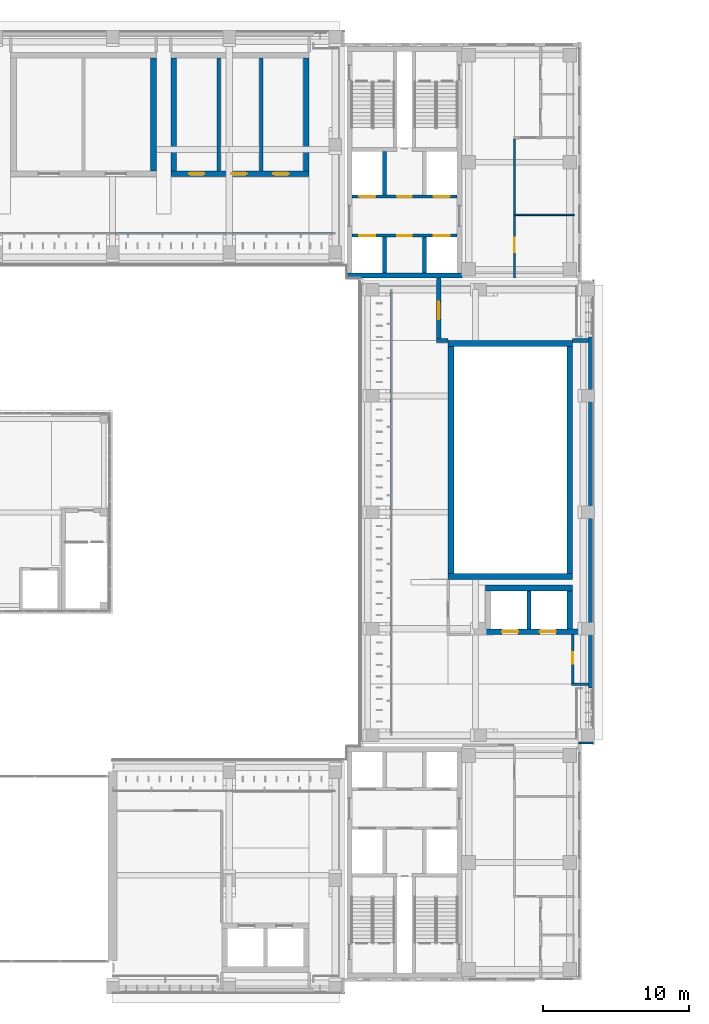
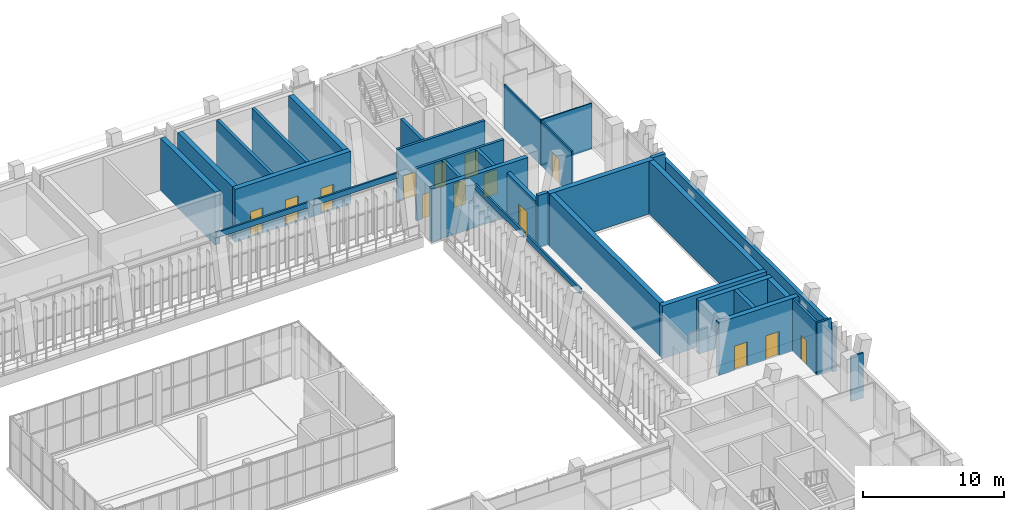
# One storey, part 68 of 92: 33 walls, 14 doors, 14 openings.
"""IFC4 building model written with IfcOpenShell, lengths in metres."""

from ifc_helpers import new_model, si_unit, direction, frame, frame_2d, origin, place, context, subcontext, project, spatial, rectangle, extrude, material, layer, layer_set, type_object, element, fill, save


model = new_model("IFC4")

# Units and contexts
model_context = context("Model", 3, precision=1e-05, world=origin(), true_north=direction((0.0, 1.0)))
body_context = subcontext(model_context, "Body", "Model", "MODEL_VIEW")
ifc_project = project(units=[si_unit("LENGTHUNIT", "METRE"), si_unit("AREAUNIT", "SQUARE_METRE"), si_unit("VOLUMEUNIT", "CUBIC_METRE"), si_unit("PLANEANGLEUNIT", "RADIAN"), si_unit("MASSUNIT", "GRAM", prefix="KILO")], contexts=[model_context])

# Site, building, storey
site_placement = place(None, origin())
site = spatial("IfcSite", under=ifc_project, at=site_placement, CompositionType="ELEMENT")
building_placement = place(site_placement, origin())
building = spatial("IfcBuilding", under=site, at=building_placement, Name="Lantern Court Media Centre", CompositionType="ELEMENT")
storey_placement = place(building_placement, frame((0.0, 0.0, 4.800048828125)))
storey = spatial("IfcBuildingStorey", under=building, at=storey_placement, Name="L01", CompositionType="ELEMENT", Elevation=4.800048828125)

# Walls
ifc_material_1 = material(Name="Acoustic gypsum board")
ifc_layer_1 = layer(ifc_material_1, 0.25)
ifc_layer_set_1 = layer_set([ifc_layer_1], Name="Acoustic gypsum board")
wall_type_1 = type_object("IfcWallType", Name="Acoustic partition 250", PredefinedType="PARTITIONING", material=ifc_layer_set_1)
for number, where, z_axis, x_axis, name in (
    (1, (71.300048828125, 103.455078125, 0.0), (0.0, 0.0, 1.0), (0.0, 1.0, 0.0), "L01 partition 020"),
    (2, (74.199951171875, 103.455078125, 0.0), (0.0, 0.0, 1.0), (0.0, 1.0, 0.0), "L01 partition 021"),
):
    element("IfcWall", number, at=place(storey_placement, frame(where, z_axis=z_axis, x_axis=x_axis)), inside=storey, type_object=wall_type_1, Name=name, PredefinedType="PARTITIONING", context=body_context, shape_type="SweptSolid", body=[
        extrude(rectangle(XDim=7.739990234375, YDim=0.25, at=frame_2d((3.8701171875, 0.0))), origin(), (0.0, 0.0, 1.0), 4.56005859375),
    ])

# Wall, opening, door
ifc_material_2 = material(Name="Gypsum board partition")
ifc_layer_2 = layer(ifc_material_2, 0.125)
ifc_layer_set_2 = layer_set([ifc_layer_2], Name="Gypsum board partition")
wall_type_2 = type_object("IfcWallType", Name="Corridor partition 125", PredefinedType="PARTITIONING", material=ifc_layer_set_2)
wall_1_placement = place(storey_placement, frame((91.60009765625, 96.10009765625, 0.0), z_axis=(0.0, 0.0, 1.0), x_axis=(0.0, 1.0, 0.0)))
wall_1 = element("IfcWall", 3, at=wall_1_placement, inside=storey, type_object=wall_type_2, Name="L01 partition 047", PredefinedType="PARTITIONING", context=body_context, shape_type="SweptSolid", body=[
    extrude(rectangle(XDim=9.56689453125, YDim=0.125, at=frame_2d((4.783447265625, 0.0))), origin(), (0.0, 0.0, 1.0), 3.8798828125),
])
opening_1_placement = place(wall_1_placement, frame((1.76513671875, 0.0, 0.0)))
opening_1 = element("IfcOpeningElement", 4, at=opening_1_placement, cuts=wall_1, Name="Opening L01-034", PredefinedType="OPENING", context=body_context, shape_type="SweptSolid", body=[
    extrude(rectangle(XDim=1.0, YDim=2.10009765625, at=frame_2d((0.5, 1.050048828125))), frame((0.0, 0.072509765625, 0.0), z_axis=(0.0, -1.0, 0.0), x_axis=(1.0, 0.0, 0.0)), (0.0, 0.0, 1.0), 0.14501953125),
])
ifc_material_3 = material(Name="Solid-core timber door leaf", Category="wood")
door_type_1 = type_object("IfcDoorType", Name="Single door 1000x2100", OperationType="NOTDEFINED", PredefinedType="DOOR", material=ifc_material_3)
door_1_placement = place(opening_1_placement, frame((1.0, 0.0, 0.0), z_axis=(0.0, 0.0, 1.0), x_axis=(-1.0, 0.0, 0.0)))
door_1 = element("IfcDoor", 5, at=door_1_placement, inside=storey, type_object=door_type_1, Name="L01 Sound Library door", OperationType="SINGLE_SWING_LEFT", OverallHeight=2.10009765625, OverallWidth=1.0, PredefinedType="DOOR", context=body_context, shape_type="SweptSolid", body=[
    extrude(rectangle(XDim=1.0, YDim=2.10009765625, at=frame_2d((0.5, 1.050048828125))), frame((0.0, 0.02490234375, 0.0), z_axis=(0.0, -1.0, 0.0), x_axis=(1.0, 0.0, 0.0)), (0.0, 0.0, 1.0), 0.050048828125),
])
fill(opening_1, door_1)

# Wall, openings, doors
ifc_material_4 = material(Name="Concrete C40", Category="concrete")
ifc_layer_3 = layer(ifc_material_4, 0.199951171875)
ifc_layer_set_3 = layer_set([ifc_layer_3], Name="Concrete C40")
wall_type_3 = type_object("IfcWallType", Name="Fire lobby wall 200", PredefinedType="SOLIDWALL", material=ifc_layer_set_3)
wall_2_placement = place(storey_placement, frame((87.64990234375, 101.699951171875, 0.0), z_axis=(0.0, 0.0, 1.0), x_axis=(-1.0, 0.0, 0.0)))
wall_2 = element("IfcWall", 6, at=wall_2_placement, inside=storey, type_object=wall_type_3, Name="L01 NE FW1", PredefinedType="SOLIDWALL", context=body_context, shape_type="SweptSolid", body=[
    extrude(rectangle(XDim=7.199951171875, YDim=0.199951171875, at=frame_2d((3.60009765625, 0.0))), origin(), (0.0, 0.0, 1.0), 4.550048828125),
])
opening_2_placement = place(wall_2_placement, frame((0.5, 0.0, 0.0)))
opening_2 = element("IfcOpeningElement", 7, at=opening_2_placement, cuts=wall_2, Name="Opening LD-NEFF-L01", PredefinedType="OPENING", context=body_context, shape_type="SweptSolid", body=[
    extrude(rectangle(XDim=1.10009765625, YDim=2.10009765625, at=frame_2d((0.550048828125, 1.050048828125))), frame((0.0, 0.10986328125, 0.0), z_axis=(0.0, -1.0, 0.0), x_axis=(1.0, 0.0, 0.0)), (0.0, 0.0, 1.0), 0.219970703125),
])
opening_3_placement = place(wall_2_placement, frame((5.60009765625, 0.0, 0.0)))
opening_3 = element("IfcOpeningElement", 8, at=opening_3_placement, cuts=wall_2, Name="Opening LD-NEP1-L01", PredefinedType="OPENING", context=body_context, shape_type="SweptSolid", body=[
    extrude(rectangle(XDim=1.10009765625, YDim=2.10009765625, at=frame_2d((0.550048828125, 1.050048828125))), frame((0.0, 0.10986328125, 0.0), z_axis=(0.0, -1.0, 0.0), x_axis=(1.0, 0.0, 0.0)), (0.0, 0.0, 1.0), 0.219970703125),
])
opening_4_placement = place(wall_2_placement, frame((3.10009765625, 0.0, 0.0)))
opening_4 = element("IfcOpeningElement", 9, at=opening_4_placement, cuts=wall_2, Name="Opening NE-L01-03", PredefinedType="OPENING", context=body_context, shape_type="SweptSolid", body=[
    extrude(rectangle(XDim=1.0, YDim=2.10009765625, at=frame_2d((0.5, 1.050048828125))), frame((0.0, 0.10986328125, 0.0), z_axis=(0.0, -1.0, 0.0), x_axis=(1.0, 0.0, 0.0)), (0.0, 0.0, 1.0), 0.219970703125),
])
ifc_material_5 = material(Name="Steel door leaf", Category="steel")
door_type_2 = type_object("IfcDoorType", Name="Lift landing door 1100x2100", OperationType="DOUBLE_DOOR_SLIDING", PredefinedType="DOOR", material=ifc_material_5)
door_2_placement = place(opening_2_placement, origin())
door_2 = element("IfcDoor", 10, at=door_2_placement, inside=storey, type_object=door_type_2, Name="L01 NE lift FF landing door", OperationType="DOUBLE_DOOR_SLIDING", OverallHeight=2.10009765625, OverallWidth=1.10009765625, PredefinedType="DOOR", context=body_context, shape_type="SweptSolid", body=[
    extrude(rectangle(XDim=1.10009765625, YDim=2.10009765625, at=frame_2d((0.550048828125, 1.050048828125))), frame((0.0, 0.02490234375, 0.0), z_axis=(0.0, -1.0, 0.0), x_axis=(1.0, 0.0, 0.0)), (0.0, 0.0, 1.0), 0.050048828125),
])
fill(opening_2, door_2)
door_3_placement = place(opening_3_placement, origin())
door_3 = element("IfcDoor", 11, at=door_3_placement, inside=storey, type_object=door_type_2, Name="L01 NE lift P1 landing door", OperationType="DOUBLE_DOOR_SLIDING", OverallHeight=2.10009765625, OverallWidth=1.10009765625, PredefinedType="DOOR", context=body_context, shape_type="SweptSolid", body=[
    extrude(rectangle(XDim=1.10009765625, YDim=2.10009765625, at=frame_2d((0.550048828125, 1.050048828125))), frame((0.0, 0.02490234375, 0.0), z_axis=(0.0, -1.0, 0.0), x_axis=(1.0, 0.0, 0.0)), (0.0, 0.0, 1.0), 0.050048828125),
])
fill(opening_3, door_3)
door_type_3 = type_object("IfcDoorType", Name="Service door 1000x2100", OperationType="NOTDEFINED", PredefinedType="DOOR", material=ifc_material_5)
door_4_placement = place(opening_4_placement, origin())
door_4 = element("IfcDoor", 12, at=door_4_placement, inside=storey, type_object=door_type_3, Name="L01 NE services riser door", OperationType="SINGLE_SWING_LEFT", OverallHeight=2.10009765625, OverallWidth=1.0, PredefinedType="DOOR", context=body_context, shape_type="SweptSolid", body=[
    extrude(rectangle(XDim=1.0, YDim=2.10009765625, at=frame_2d((0.5, 1.050048828125))), frame((0.0, 0.02490234375, 0.0), z_axis=(0.0, -1.0, 0.0), x_axis=(1.0, 0.0, 0.0)), (0.0, 0.0, 1.0), 0.050048828125),
])
fill(opening_4, door_4)

wall_3_placement = place(storey_placement, frame((87.64990234375, 99.0, 0.0), z_axis=(0.0, 0.0, 1.0), x_axis=(-1.0, 0.0, 0.0)))
wall_3 = element("IfcWall", 13, at=wall_3_placement, inside=storey, type_object=wall_type_3, Name="L01 NE FW2", PredefinedType="SOLIDWALL", context=body_context, shape_type="SweptSolid", body=[
    extrude(rectangle(XDim=7.199951171875, YDim=0.199951171875, at=frame_2d((3.60009765625, 0.0))), origin(), (0.0, 0.0, 1.0), 4.550048828125),
])
opening_5_placement = place(wall_3_placement, frame((0.5, 0.0, 0.0)))
opening_5 = element("IfcOpeningElement", 14, at=opening_5_placement, cuts=wall_3, Name="Opening LD-NEP2-L01", PredefinedType="OPENING", context=body_context, shape_type="SweptSolid", body=[
    extrude(rectangle(XDim=1.10009765625, YDim=2.10009765625, at=frame_2d((0.550048828125, 1.050048828125))), frame((0.0, 0.10986328125, 0.0), z_axis=(0.0, -1.0, 0.0), x_axis=(1.0, 0.0, 0.0)), (0.0, 0.0, 1.0), 0.219970703125),
])
opening_6_placement = place(wall_3_placement, frame((5.60009765625, 0.0, 0.0)))
opening_6 = element("IfcOpeningElement", 15, at=opening_6_placement, cuts=wall_3, Name="Opening LD-NEP3-L01", PredefinedType="OPENING", context=body_context, shape_type="SweptSolid", body=[
    extrude(rectangle(XDim=1.10009765625, YDim=2.10009765625, at=frame_2d((0.550048828125, 1.050048828125))), frame((0.0, 0.10986328125, 0.0), z_axis=(0.0, -1.0, 0.0), x_axis=(1.0, 0.0, 0.0)), (0.0, 0.0, 1.0), 0.219970703125),
])
opening_7_placement = place(wall_3_placement, frame((3.10009765625, 0.0, 0.0)))
opening_7 = element("IfcOpeningElement", 16, at=opening_7_placement, cuts=wall_3, Name="Opening NE-L01-04", PredefinedType="OPENING", context=body_context, shape_type="SweptSolid", body=[
    extrude(rectangle(XDim=1.0, YDim=2.10009765625, at=frame_2d((0.5, 1.050048828125))), frame((0.0, 0.10986328125, 0.0), z_axis=(0.0, -1.0, 0.0), x_axis=(1.0, 0.0, 0.0)), (0.0, 0.0, 1.0), 0.219970703125),
])
door_5_placement = place(opening_5_placement, frame((1.10009765625, 0.0, 0.0), z_axis=(0.0, 0.0, 1.0), x_axis=(-1.0, 0.0, 0.0)))
door_5 = element("IfcDoor", 17, at=door_5_placement, inside=storey, type_object=door_type_2, Name="L01 NE lift P2 landing door", OperationType="DOUBLE_DOOR_SLIDING", OverallHeight=2.10009765625, OverallWidth=1.10009765625, PredefinedType="DOOR", context=body_context, shape_type="SweptSolid", body=[
    extrude(rectangle(XDim=1.10009765625, YDim=2.10009765625, at=frame_2d((0.550048828125, 1.050048828125))), frame((0.0, 0.02490234375, 0.0), z_axis=(0.0, -1.0, 0.0), x_axis=(1.0, 0.0, 0.0)), (0.0, 0.0, 1.0), 0.050048828125),
])
fill(opening_5, door_5)
door_6_placement = place(opening_6_placement, frame((1.10009765625, 0.0, 0.0), z_axis=(0.0, 0.0, 1.0), x_axis=(-1.0, 0.0, 0.0)))
door_6 = element("IfcDoor", 18, at=door_6_placement, inside=storey, type_object=door_type_2, Name="L01 NE lift P3 landing door", OperationType="DOUBLE_DOOR_SLIDING", OverallHeight=2.10009765625, OverallWidth=1.10009765625, PredefinedType="DOOR", context=body_context, shape_type="SweptSolid", body=[
    extrude(rectangle(XDim=1.10009765625, YDim=2.10009765625, at=frame_2d((0.550048828125, 1.050048828125))), frame((0.0, 0.02490234375, 0.0), z_axis=(0.0, -1.0, 0.0), x_axis=(1.0, 0.0, 0.0)), (0.0, 0.0, 1.0), 0.050048828125),
])
fill(opening_6, door_6)
door_7_placement = place(opening_7_placement, frame((1.0, 0.0, 0.0), z_axis=(0.0, 0.0, 1.0), x_axis=(-1.0, 0.0, 0.0)))
door_7 = element("IfcDoor", 19, at=door_7_placement, inside=storey, type_object=door_type_3, Name="L01 NE accessible WC door", OperationType="SINGLE_SWING_RIGHT", OverallHeight=2.10009765625, OverallWidth=1.0, PredefinedType="DOOR", context=body_context, shape_type="SweptSolid", body=[
    extrude(rectangle(XDim=1.0, YDim=2.10009765625, at=frame_2d((0.5, 1.050048828125))), frame((0.0, 0.02490234375, 0.0), z_axis=(0.0, -1.0, 0.0), x_axis=(1.0, 0.0, 0.0)), (0.0, 0.0, 1.0), 0.050048828125),
])
fill(opening_7, door_7)

# Walls
ifc_material_6 = material(Name="Insulated rendered blockwork", Category="masonry")
ifc_layer_4 = layer(ifc_material_6, 0.14990234375)
ifc_layer_set_4 = layer_set([ifc_layer_4], Name="Insulated rendered blockwork")
wall_type_4 = type_object("IfcWallType", Name="Head infill wall 150", PredefinedType="SOLIDWALL", material=ifc_layer_set_4)
wall_4_placement = place(storey_placement, frame((64.199951171875, 99.14990234375, 4.099853515625), z_axis=(0.0, 0.0, 1.0), x_axis=(1.0, 0.0, 0.0)))
element("IfcWall", 20, at=wall_4_placement, inside=storey, type_object=wall_type_4, Name="Head infill wall N inner L01", PredefinedType="SOLIDWALL", context=body_context, shape_type="SweptSolid", body=[
    extrude(rectangle(XDim=7.60009765625, YDim=0.14990234375, at=frame_2d((3.800048828125, 0.0))), origin(), (0.0, 0.0, 1.0), 0.47998046875),
])
wall_5_placement = place(storey_placement, frame((72.199951171875, 99.14990234375, 4.099853515625), z_axis=(0.0, 0.0, 1.0), x_axis=(1.0, 0.0, 0.0)))
element("IfcWall", 21, at=wall_5_placement, inside=storey, type_object=wall_type_4, Name="Head infill wall N inner L01", PredefinedType="SOLIDWALL", context=body_context, shape_type="SweptSolid", body=[
    extrude(rectangle(XDim=6.900146484375, YDim=0.14990234375, at=frame_2d((3.4501953125, 0.0))), origin(), (0.0, 0.0, 1.0), 0.47998046875),
])
wall_6_placement = place(storey_placement, frame((83.14990234375, 80.199951171875, 4.099853515625), z_axis=(0.0, 0.0, 1.0), x_axis=(0.0, 1.0, 0.0)))
element("IfcWall", 22, at=wall_6_placement, inside=storey, type_object=wall_type_4, Name="Head infill wall E inner L01", PredefinedType="SOLIDWALL", context=body_context, shape_type="SweptSolid", body=[
    extrude(rectangle(XDim=7.60009765625, YDim=0.14990234375, at=frame_2d((3.800048828125, 0.0))), origin(), (0.0, 0.0, 1.0), 0.47998046875),
])
wall_7_placement = place(storey_placement, frame((83.14990234375, 88.199951171875, 4.099853515625), z_axis=(0.0, 0.0, 1.0), x_axis=(0.0, 1.0, 0.0)))
element("IfcWall", 23, at=wall_7_placement, inside=storey, type_object=wall_type_4, Name="Head infill wall E inner L01", PredefinedType="SOLIDWALL", context=body_context, shape_type="SweptSolid", body=[
    extrude(rectangle(XDim=6.900146484375, YDim=0.14990234375, at=frame_2d((3.4501953125, 0.0))), origin(), (0.0, 0.0, 1.0), 0.47998046875),
])
ifc_material_7 = material(Name="Honed limestone cladding on blockwork", Category="masonry")
ifc_layer_5 = layer(ifc_material_7, 0.139892578125)
ifc_layer_set_5 = layer_set([ifc_layer_5], Name="Honed limestone cladding on blockwork")
wall_type_5 = type_object("IfcWallType", Name="Limestone closure wall 140", PredefinedType="SOLIDWALL", material=ifc_layer_set_5)
wall_8_placement = place(storey_placement, frame((96.0, 64.169921875, 0.0), z_axis=(0.0, 0.0, 1.0), x_axis=(1.0, 0.0, 0.0)))
element("IfcWall", 24, at=wall_8_placement, inside=storey, type_object=wall_type_5, Name="Limestone closure wall E-SE L01", PredefinedType="SOLIDWALL", context=body_context, shape_type="SweptSolid", body=[
    extrude(rectangle(XDim=1.0, YDim=0.139892578125, at=frame_2d((0.5, 0.0))), origin(), (0.0, 0.0, 1.0), 3.89990234375),
])
ifc_layer_6 = layer(ifc_material_7, 0.300048828125)
ifc_layer_set_6 = layer_set([ifc_layer_6], Name="Honed limestone cladding on blockwork")
wall_type_6 = type_object("IfcWallType", Name="Limestone flank wall 300", PredefinedType="SOLIDWALL", material=ifc_layer_set_6)
wall_9_placement = place(storey_placement, frame((96.85009765625, 67.949951171875, 0.0), z_axis=(0.0, 0.0, 1.0), x_axis=(0.0, 1.0, 0.0)))
element("IfcWall", 25, at=wall_9_placement, inside=storey, type_object=wall_type_6, Name="Limestone flank wall E outer L01", PredefinedType="SOLIDWALL", context=body_context, shape_type="SweptSolid", body=[
    extrude(rectangle(XDim=24.10009765625, YDim=0.300048828125, at=frame_2d((12.050048828125, 0.0))), origin(), (0.0, 0.0, 1.0), 3.89990234375),
])
ifc_layer_7 = layer(ifc_material_2, 0.10009765625)
ifc_layer_set_7 = layer_set([ifc_layer_7], Name="Gypsum board partition")
wall_type_7 = type_object("IfcWallType", Name="Partition 100", PredefinedType="PARTITIONING", material=ifc_layer_set_7)
wall_10_placement = place(storey_placement, frame((91.53759765625, 100.43310546875, 0.0), z_axis=(0.0, 0.0, 1.0), x_axis=(1.0, 0.0, 0.0)))
element("IfcWall", 26, at=wall_10_placement, inside=storey, type_object=wall_type_7, Name="L01 partition 058", PredefinedType="PARTITIONING", context=body_context, shape_type="SweptSolid", body=[
    extrude(rectangle(XDim=4.162353515625, YDim=0.10009765625, at=frame_2d((2.0810546875, 0.0))), origin(), (0.0, 0.0, 1.0), 3.97998046875),
])
ifc_layer_8 = layer(ifc_material_4, 0.35009765625)
ifc_layer_set_8 = layer_set([ifc_layer_8], Name="Concrete C40")
wall_type_8 = type_object("IfcWallType", Name="RC CORE WALL 350", PredefinedType="SHEAR", material=ifc_layer_set_8)
wall_11_placement = place(storey_placement, frame((80.10009765625, 96.27490234375, 0.0), z_axis=(0.0, 0.0, 1.0), x_axis=(1.0, 0.0, 0.0)))
element("IfcWall", 27, at=wall_11_placement, inside=storey, type_object=wall_type_8, Name="WC-NE-L01-S", PredefinedType="SHEAR", context=body_context, shape_type="SweptSolid", body=[
    extrude(rectangle(XDim=7.89990234375, YDim=0.35009765625, at=frame_2d((3.949951171875, 0.0))), origin(), (0.0, 0.0, 1.0), 4.579833984375),
])
ifc_layer_9 = layer(ifc_material_4, 0.300048828125)
ifc_layer_set_9 = layer_set([ifc_layer_9], Name="Concrete C40")
wall_type_9 = type_object("IfcWallType", Name="RC SHEAR WALL 300", PredefinedType="SHEAR", material=ifc_layer_set_9)
wall_12_placement = place(storey_placement, frame((92.60009765625, 72.0, 0.0), z_axis=(0.0, 0.0, 1.0), x_axis=(0.0, 1.0, 0.0)))
element("IfcWall", 28, at=wall_12_placement, inside=storey, type_object=wall_type_9, Name="WB-E-LC-L01-D", PredefinedType="SHEAR", context=body_context, shape_type="SweptSolid", body=[
    extrude(rectangle(XDim=2.60009765625, YDim=0.300048828125, at=frame_2d((1.300048828125, 0.0))), origin(), (0.0, 0.0, 1.0), 4.579833984375),
])

# Wall, openings, doors
ifc_layer_10 = layer(ifc_material_4, 0.39990234375)
ifc_layer_set_10 = layer_set([ifc_layer_10], Name="Concrete C40")
wall_type_10 = type_object("IfcWallType", Name="RC SHEAR WALL 400", PredefinedType="SHEAR", material=ifc_layer_set_10)
wall_13_placement = place(storey_placement, frame((89.487548828125, 71.800048828125, 0.0), z_axis=(0.0, 0.0, 1.0), x_axis=(1.0, 0.0, 0.0)))
wall_13 = element("IfcWall", 29, at=wall_13_placement, inside=storey, type_object=wall_type_10, Name="WB-E-LC-L01-S", PredefinedType="SHEAR", context=body_context, shape_type="SweptSolid", body=[
    extrude(rectangle(XDim=6.550048828125, YDim=0.39990234375, at=frame_2d((3.27490234375, 0.0))), origin(), (0.0, 0.0, 1.0), 4.579833984375),
])
opening_8_placement = place(wall_13_placement, frame((1.262451171875, 0.0, 0.0)))
opening_8 = element("IfcOpeningElement", 30, at=opening_8_placement, cuts=wall_13, Name="Opening LD-E-LCP-L01", PredefinedType="OPENING", context=body_context, shape_type="SweptSolid", body=[
    extrude(rectangle(XDim=1.10009765625, YDim=2.10009765625, at=frame_2d((0.550048828125, 1.050048828125))), frame((0.0, 0.2099609375, 0.0), z_axis=(0.0, -1.0, 0.0), x_axis=(1.0, 0.0, 0.0)), (0.0, 0.0, 1.0), 0.419921875),
])
opening_9_placement = place(wall_13_placement, frame((3.862548828125, 0.0, 0.0)))
opening_9 = element("IfcOpeningElement", 31, at=opening_9_placement, cuts=wall_13, Name="Opening LD-E-LCS-L01", PredefinedType="OPENING", context=body_context, shape_type="SweptSolid", body=[
    extrude(rectangle(XDim=1.10009765625, YDim=2.10009765625, at=frame_2d((0.550048828125, 1.050048828125))), frame((0.0, 0.2099609375, 0.0), z_axis=(0.0, -1.0, 0.0), x_axis=(1.0, 0.0, 0.0)), (0.0, 0.0, 1.0), 0.419921875),
])
door_8_placement = place(opening_8_placement, frame((1.10009765625, 0.0, 0.0), z_axis=(0.0, 0.0, 1.0), x_axis=(-1.0, 0.0, 0.0)))
door_8 = element("IfcDoor", 32, at=door_8_placement, inside=storey, type_object=door_type_2, Name="L01 E-LC passenger lift landing door", OperationType="DOUBLE_DOOR_SLIDING", OverallHeight=2.10009765625, OverallWidth=1.10009765625, PredefinedType="DOOR", context=body_context, shape_type="SweptSolid", body=[
    extrude(rectangle(XDim=1.10009765625, YDim=2.10009765625, at=frame_2d((0.550048828125, 1.050048828125))), frame((0.0, 0.02490234375, 0.0), z_axis=(0.0, -1.0, 0.0), x_axis=(1.0, 0.0, 0.0)), (0.0, 0.0, 1.0), 0.050048828125),
])
fill(opening_8, door_8)
door_9_placement = place(opening_9_placement, frame((1.10009765625, 0.0, 0.0), z_axis=(0.0, 0.0, 1.0), x_axis=(-1.0, 0.0, 0.0)))
door_9 = element("IfcDoor", 33, at=door_9_placement, inside=storey, type_object=door_type_2, Name="L01 E-LC service lift landing door", OperationType="DOUBLE_DOOR_SLIDING", OverallHeight=2.10009765625, OverallWidth=1.10009765625, PredefinedType="DOOR", context=body_context, shape_type="SweptSolid", body=[
    extrude(rectangle(XDim=1.10009765625, YDim=2.10009765625, at=frame_2d((0.550048828125, 1.050048828125))), frame((0.0, 0.02490234375, 0.0), z_axis=(0.0, -1.0, 0.0), x_axis=(1.0, 0.0, 0.0)), (0.0, 0.0, 1.0), 0.050048828125),
])
fill(opening_9, door_9)

# Walls
wall_14_placement = place(storey_placement, frame((89.60009765625, 74.800048828125, 0.0), z_axis=(0.0, 0.0, 1.0), x_axis=(1.0, 0.0, 0.0)))
element("IfcWall", 34, at=wall_14_placement, inside=storey, type_object=wall_type_10, Name="WB-E-LC-L01-N", PredefinedType="SHEAR", context=body_context, shape_type="SweptSolid", body=[
    extrude(rectangle(XDim=6.0, YDim=0.39990234375, at=frame_2d((3.0, 0.0))), origin(), (0.0, 0.0, 1.0), 4.579833984375),
])
wall_15_placement = place(storey_placement, frame((95.39990234375, 72.0, 0.0), z_axis=(0.0, 0.0, 1.0), x_axis=(0.0, 1.0, 0.0)))
element("IfcWall", 35, at=wall_15_placement, inside=storey, type_object=wall_type_10, Name="WB-E-LC-L01-E", PredefinedType="SHEAR", context=body_context, shape_type="SweptSolid", body=[
    extrude(rectangle(XDim=2.60009765625, YDim=0.39990234375, at=frame_2d((1.300048828125, 0.0))), origin(), (0.0, 0.0, 1.0), 4.579833984375),
])
for number, where, z_axis, x_axis, name in (
    (36, (87.050048828125, 75.60009765625, 0.0), (0.0, 0.0, 1.0), (1.0, 0.0, 0.0), "WB-E-STC-L01-S"),
    (37, (87.050048828125, 91.60009765625, 0.0), (0.0, 0.0, 1.0), (1.0, 0.0, 0.0), "WB-E-STC-L01-N"),
):
    element("IfcWall", number, at=place(storey_placement, frame(where, z_axis=z_axis, x_axis=x_axis)), inside=storey, type_object=wall_type_10, Name=name, PredefinedType="SHEAR", context=body_context, shape_type="SweptSolid", body=[
        extrude(rectangle(XDim=8.550048828125, YDim=0.39990234375, at=frame_2d((4.27490234375, 0.0))), origin(), (0.0, 0.0, 1.0), 4.579833984375),
    ])
for number, where, z_axis, x_axis, name in (
    (38, (87.25, 75.800048828125, 0.0), (0.0, 0.0, 1.0), (0.0, 1.0, 0.0), "WB-E-STC-L01-W"),
    (39, (95.39990234375, 75.800048828125, 0.0), (0.0, 0.0, 1.0), (0.0, 1.0, 0.0), "WB-E-STC-L01-E"),
):
    element("IfcWall", number, at=place(storey_placement, frame(where, z_axis=z_axis, x_axis=x_axis)), inside=storey, type_object=wall_type_10, Name=name, PredefinedType="SHEAR", context=body_context, shape_type="SweptSolid", body=[
        extrude(rectangle(XDim=15.599853515625, YDim=0.39990234375, at=frame_2d((7.7998046875, 0.0))), origin(), (0.0, 0.0, 1.0), 4.579833984375),
    ])
wall_16_placement = place(storey_placement, frame((66.800048828125, 103.449951171875, 0.0), z_axis=(0.0, 0.0, 1.0), x_axis=(0.0, 1.0, 0.0)))
element("IfcWall", 40, at=wall_16_placement, inside=storey, type_object=wall_type_10, Name="WB-N-SRV-L01-E", PredefinedType="SHEAR", context=body_context, shape_type="SweptSolid", body=[
    extrude(rectangle(XDim=7.75, YDim=0.39990234375, at=frame_2d((3.875, 0.0))), origin(), (0.0, 0.0, 1.0), 4.579833984375),
])

# Wall, openings, doors
wall_17_placement = place(storey_placement, frame((68.0, 103.25, 0.0), z_axis=(0.0, 0.0, 1.0), x_axis=(1.0, 0.0, 0.0)))
wall_17 = element("IfcWall", 41, at=wall_17_placement, inside=storey, type_object=wall_type_10, Name="WB-N-EDB-L01-S", PredefinedType="SHEAR", context=body_context, shape_type="SweptSolid", body=[
    extrude(rectangle(XDim=9.5, YDim=0.39990234375, at=frame_2d((4.75, 0.0))), origin(), (0.0, 0.0, 1.0), 4.579833984375),
])
opening_10_placement = place(wall_17_placement, frame((1.25, 0.0, 0.0)))
opening_10 = element("IfcOpeningElement", 42, at=opening_10_placement, cuts=wall_17, Name="Opening L01-011", PredefinedType="OPENING", context=body_context, shape_type="SweptSolid", body=[
    extrude(rectangle(XDim=1.050048828125, YDim=2.199951171875, at=frame_2d((0.52490234375, 1.10009765625))), frame((0.0, 0.2099609375, 0.0), z_axis=(0.0, -1.0, 0.0), x_axis=(1.0, 0.0, 0.0)), (0.0, 0.0, 1.0), 0.419921875),
])
opening_11_placement = place(wall_17_placement, frame((4.14990234375, 0.0, 0.0)))
opening_11 = element("IfcOpeningElement", 43, at=opening_11_placement, cuts=wall_17, Name="Opening L01-012", PredefinedType="OPENING", context=body_context, shape_type="SweptSolid", body=[
    extrude(rectangle(XDim=1.050048828125, YDim=2.199951171875, at=frame_2d((0.52490234375, 1.10009765625))), frame((0.0, 0.2099609375, 0.0), z_axis=(0.0, -1.0, 0.0), x_axis=(1.0, 0.0, 0.0)), (0.0, 0.0, 1.0), 0.419921875),
])
opening_12_placement = place(wall_17_placement, frame((7.050048828125, 0.0, 0.0)))
opening_12 = element("IfcOpeningElement", 44, at=opening_12_placement, cuts=wall_17, Name="Opening L01-013", PredefinedType="OPENING", context=body_context, shape_type="SweptSolid", body=[
    extrude(rectangle(XDim=1.050048828125, YDim=2.199951171875, at=frame_2d((0.52490234375, 1.10009765625))), frame((0.0, 0.2099609375, 0.0), z_axis=(0.0, -1.0, 0.0), x_axis=(1.0, 0.0, 0.0)), (0.0, 0.0, 1.0), 0.419921875),
])
ifc_material_8 = material(Name="Acoustic timber door leaf", Category="wood")
door_type_4 = type_object("IfcDoorType", Name="Edit suite sound-lock door 1050x2200", OperationType="NOTDEFINED", PredefinedType="DOOR", material=ifc_material_8)
door_10_placement = place(opening_10_placement, origin())
door_10 = element("IfcDoor", 45, at=door_10_placement, inside=storey, type_object=door_type_4, Name="L01 Editing Suite 05 door", OperationType="SINGLE_SWING_RIGHT", OverallHeight=2.199951171875, OverallWidth=1.050048828125, PredefinedType="DOOR", context=body_context, shape_type="SweptSolid", body=[
    extrude(rectangle(XDim=1.050048828125, YDim=2.199951171875, at=frame_2d((0.52490234375, 1.10009765625))), frame((0.0, 0.02490234375, 0.0), z_axis=(0.0, -1.0, 0.0), x_axis=(1.0, 0.0, 0.0)), (0.0, 0.0, 1.0), 0.050048828125),
])
fill(opening_10, door_10)
door_11_placement = place(opening_11_placement, origin())
door_11 = element("IfcDoor", 46, at=door_11_placement, inside=storey, type_object=door_type_4, Name="L01 Editing Suite 06 door", OperationType="SINGLE_SWING_LEFT", OverallHeight=2.199951171875, OverallWidth=1.050048828125, PredefinedType="DOOR", context=body_context, shape_type="SweptSolid", body=[
    extrude(rectangle(XDim=1.050048828125, YDim=2.199951171875, at=frame_2d((0.52490234375, 1.10009765625))), frame((0.0, 0.02490234375, 0.0), z_axis=(0.0, -1.0, 0.0), x_axis=(1.0, 0.0, 0.0)), (0.0, 0.0, 1.0), 0.050048828125),
])
fill(opening_11, door_11)
door_12_placement = place(opening_12_placement, origin())
door_12 = element("IfcDoor", 47, at=door_12_placement, inside=storey, type_object=door_type_4, Name="L01 Editing Suite 07 door", OperationType="SINGLE_SWING_RIGHT", OverallHeight=2.199951171875, OverallWidth=1.050048828125, PredefinedType="DOOR", context=body_context, shape_type="SweptSolid", body=[
    extrude(rectangle(XDim=1.050048828125, YDim=2.199951171875, at=frame_2d((0.52490234375, 1.10009765625))), frame((0.0, 0.02490234375, 0.0), z_axis=(0.0, -1.0, 0.0), x_axis=(1.0, 0.0, 0.0)), (0.0, 0.0, 1.0), 0.050048828125),
])
fill(opening_12, door_12)

# Walls
for number, where, z_axis, x_axis, name in (
    (48, (68.199951171875, 103.449951171875, 0.0), (0.0, 0.0, 1.0), (0.0, 1.0, 0.0), "WB-N-EDB-L01-W"),
    (49, (77.300048828125, 103.449951171875, 0.0), (0.0, 0.0, 1.0), (0.0, 1.0, 0.0), "WB-N-EDB-L01-E"),
):
    element("IfcWall", number, at=place(storey_placement, frame(where, z_axis=z_axis, x_axis=x_axis)), inside=storey, type_object=wall_type_10, Name=name, PredefinedType="SHEAR", context=body_context, shape_type="SweptSolid", body=[
        extrude(rectangle(XDim=7.75, YDim=0.39990234375, at=frame_2d((3.875, 0.0))), origin(), (0.0, 0.0, 1.0), 4.579833984375),
    ])
ifc_layer_11 = layer(ifc_material_4, 0.25)
ifc_layer_set_11 = layer_set([ifc_layer_11], Name="Concrete C40")
wall_type_11 = type_object("IfcWallType", Name="RC lift shaft wall 250", PredefinedType="SOLIDWALL", material=ifc_layer_set_11)
wall_18_placement = place(storey_placement, frame((85.425048828125, 98.89990234375, 0.0), z_axis=(0.0, 0.0, 1.0), x_axis=(0.0, -1.0, 0.0)))
element("IfcWall", 50, at=wall_18_placement, inside=storey, type_object=wall_type_11, Name="L01 NE L1b", PredefinedType="SOLIDWALL", context=body_context, shape_type="SweptSolid", body=[
    extrude(rectangle(XDim=2.449951171875, YDim=0.25, at=frame_2d((1.22509765625, 0.0))), origin(), (0.0, 0.0, 1.0), 4.550048828125),
])
wall_19_placement = place(storey_placement, frame((82.675048828125, 104.800048828125, 0.0), z_axis=(0.0, 0.0, 1.0), x_axis=(0.0, -1.0, 0.0)))
element("IfcWall", 51, at=wall_19_placement, inside=storey, type_object=wall_type_11, Name="L01 NE L2a", PredefinedType="SOLIDWALL", context=body_context, shape_type="SweptSolid", body=[
    extrude(rectangle(XDim=3.0, YDim=0.25, at=frame_2d((1.5, 0.0))), origin(), (0.0, 0.0, 1.0), 4.550048828125),
])
wall_20_placement = place(storey_placement, frame((82.675048828125, 98.89990234375, 0.0), z_axis=(0.0, 0.0, 1.0), x_axis=(0.0, -1.0, 0.0)))
element("IfcWall", 52, at=wall_20_placement, inside=storey, type_object=wall_type_11, Name="L01 NE L2b", PredefinedType="SOLIDWALL", context=body_context, shape_type="SweptSolid", body=[
    extrude(rectangle(XDim=2.449951171875, YDim=0.25, at=frame_2d((1.22509765625, 0.0))), origin(), (0.0, 0.0, 1.0), 4.550048828125),
])
ifc_layer_12 = layer(ifc_material_1, 0.300048828125)
ifc_layer_set_12 = layer_set([ifc_layer_12], Name="Acoustic gypsum board")
wall_type_12 = type_object("IfcWallType", Name="Recording studio acoustic partition 300", PredefinedType="PARTITIONING", material=ifc_layer_set_12)
wall_21_placement = place(storey_placement, frame((86.25, 91.800048828125, 0.0), z_axis=(0.0, 0.0, 1.0), x_axis=(1.0, 0.0, 0.0)))
element("IfcWall", 53, at=wall_21_placement, inside=storey, type_object=wall_type_12, Name="L01 partition 031", PredefinedType="PARTITIONING", context=body_context, shape_type="SweptSolid", body=[
    extrude(rectangle(XDim=0.794921875, YDim=0.300048828125, at=frame_2d((0.3974609375, 0.0))), origin(), (0.0, 0.0, 1.0), 4.56005859375),
])
wall_22_placement = place(storey_placement, frame((95.60498046875, 91.800048828125, 0.0), z_axis=(0.0, 0.0, 1.0), x_axis=(1.0, 0.0, 0.0)))
element("IfcWall", 54, at=wall_22_placement, inside=storey, type_object=wall_type_12, Name="L01 partition 032", PredefinedType="PARTITIONING", context=body_context, shape_type="SweptSolid", body=[
    extrude(rectangle(XDim=1.090087890625, YDim=0.300048828125, at=frame_2d((0.544921875, 0.0))), origin(), (0.0, 0.0, 1.0), 4.56005859375),
])

# Wall, opening, door
wall_23_placement = place(storey_placement, frame((86.39990234375, 91.949951171875, 0.0), z_axis=(0.0, 0.0, 1.0), x_axis=(0.0, 1.0, 0.0)))
wall_23 = element("IfcWall", 55, at=wall_23_placement, inside=storey, type_object=wall_type_12, Name="L01 partition 037", PredefinedType="PARTITIONING", context=body_context, shape_type="SweptSolid", body=[
    extrude(rectangle(XDim=4.150146484375, YDim=0.300048828125, at=frame_2d((2.0751953125, 0.0))), origin(), (0.0, 0.0, 1.0), 3.8798828125),
])
opening_13_placement = place(wall_23_placement, frame((1.300048828125, 0.0, 0.0)))
opening_13 = element("IfcOpeningElement", 56, at=opening_13_placement, cuts=wall_23, Name="Opening L01-018", PredefinedType="OPENING", context=body_context, shape_type="SweptSolid", body=[
    extrude(rectangle(XDim=1.199951171875, YDim=2.199951171875, at=frame_2d((0.60009765625, 1.10009765625))), frame((0.0, 0.159912109375, 0.0), z_axis=(0.0, -1.0, 0.0), x_axis=(1.0, 0.0, 0.0)), (0.0, 0.0, 1.0), 0.320068359375),
])
door_type_5 = type_object("IfcDoorType", Name="Control room sound-lock door 1200x2200", OperationType="NOTDEFINED", PredefinedType="DOOR", material=ifc_material_8)
door_13_placement = place(opening_13_placement, frame((1.199951171875, 0.0, 0.0), z_axis=(0.0, 0.0, 1.0), x_axis=(-1.0, 0.0, 0.0)))
door_13 = element("IfcDoor", 57, at=door_13_placement, inside=storey, type_object=door_type_5, Name="L01 Studio Control Room 02 door", OperationType="SINGLE_SWING_LEFT", OverallHeight=2.199951171875, OverallWidth=1.199951171875, PredefinedType="DOOR", context=body_context, shape_type="SweptSolid", body=[
    extrude(rectangle(XDim=1.199951171875, YDim=2.199951171875, at=frame_2d((0.60009765625, 1.10009765625))), frame((0.0, 0.02490234375, 0.0), z_axis=(0.0, -1.0, 0.0), x_axis=(1.0, 0.0, 0.0)), (0.0, 0.0, 1.0), 0.050048828125),
])
fill(opening_13, door_13)

# Wall
ifc_material_9 = material(Name="Fire-rated gypsum board")
ifc_layer_13 = layer(ifc_material_9, 0.159912109375)
ifc_layer_set_13 = layer_set([ifc_layer_13], Name="Fire-rated gypsum board")
wall_type_13 = type_object("IfcWallType", Name="Riser shaft liner wall 160", PredefinedType="PARTITIONING", material=ifc_layer_set_13)
wall_24_placement = place(storey_placement, frame((95.52001953125, 68.199951171875, 0.0), z_axis=(0.0, 0.0, 1.0), x_axis=(1.0, 0.0, 0.0)))
element("IfcWall", 58, at=wall_24_placement, inside=storey, type_object=wall_type_13, Name="L01 partition 029", PredefinedType="PARTITIONING", context=body_context, shape_type="SweptSolid", body=[
    extrude(rectangle(XDim=1.175048828125, YDim=0.159912109375, at=frame_2d((0.58740234375, 0.0))), origin(), (0.0, 0.0, 1.0), 4.56005859375),
])

# Wall, opening, door
wall_25_placement = place(storey_placement, frame((95.60009765625, 68.280029296875, 0.0), z_axis=(0.0, 0.0, 1.0), x_axis=(0.0, 1.0, 0.0)))
wall_25 = element("IfcWall", 59, at=wall_25_placement, inside=storey, type_object=wall_type_13, Name="L01 partition 038", PredefinedType="PARTITIONING", context=body_context, shape_type="SweptSolid", body=[
    extrude(rectangle(XDim=3.31494140625, YDim=0.159912109375, at=frame_2d((1.657470703125, 0.0))), origin(), (0.0, 0.0, 1.0), 4.56005859375),
])
opening_14_placement = place(wall_25_placement, frame((1.320068359375, 0.0, 0.0)))
opening_14 = element("IfcOpeningElement", 60, at=opening_14_placement, cuts=wall_25, Name="Opening L01-020", PredefinedType="OPENING", context=body_context, shape_type="SweptSolid", body=[
    extrude(rectangle(XDim=0.800048828125, YDim=2.10009765625, at=frame_2d((0.39990234375, 1.050048828125))), frame((0.0, 0.08984375, 0.0), z_axis=(0.0, -1.0, 0.0), x_axis=(1.0, 0.0, 0.0)), (0.0, 0.0, 1.0), 0.179931640625),
])
door_type_6 = type_object("IfcDoorType", Name="Riser access fire door 800x2100", OperationType="NOTDEFINED", PredefinedType="DOOR", material=ifc_material_5)
door_14_placement = place(opening_14_placement, frame((0.800048828125, 0.0, 0.0), z_axis=(0.0, 0.0, 1.0), x_axis=(-1.0, 0.0, 0.0)))
door_14 = element("IfcDoor", 61, at=door_14_placement, inside=storey, type_object=door_type_6, Name="L01 Services Duct door", OperationType="SINGLE_SWING_LEFT", OverallHeight=2.10009765625, OverallWidth=0.800048828125, PredefinedType="DOOR", context=body_context, shape_type="SweptSolid", body=[
    extrude(rectangle(XDim=0.800048828125, YDim=2.10009765625, at=frame_2d((0.39990234375, 1.050048828125))), frame((0.0, 0.02490234375, 0.0), z_axis=(0.0, -1.0, 0.0), x_axis=(1.0, 0.0, 0.0)), (0.0, 0.0, 1.0), 0.050048828125),
])
fill(opening_14, door_14)

save(model, "model.ifc")
